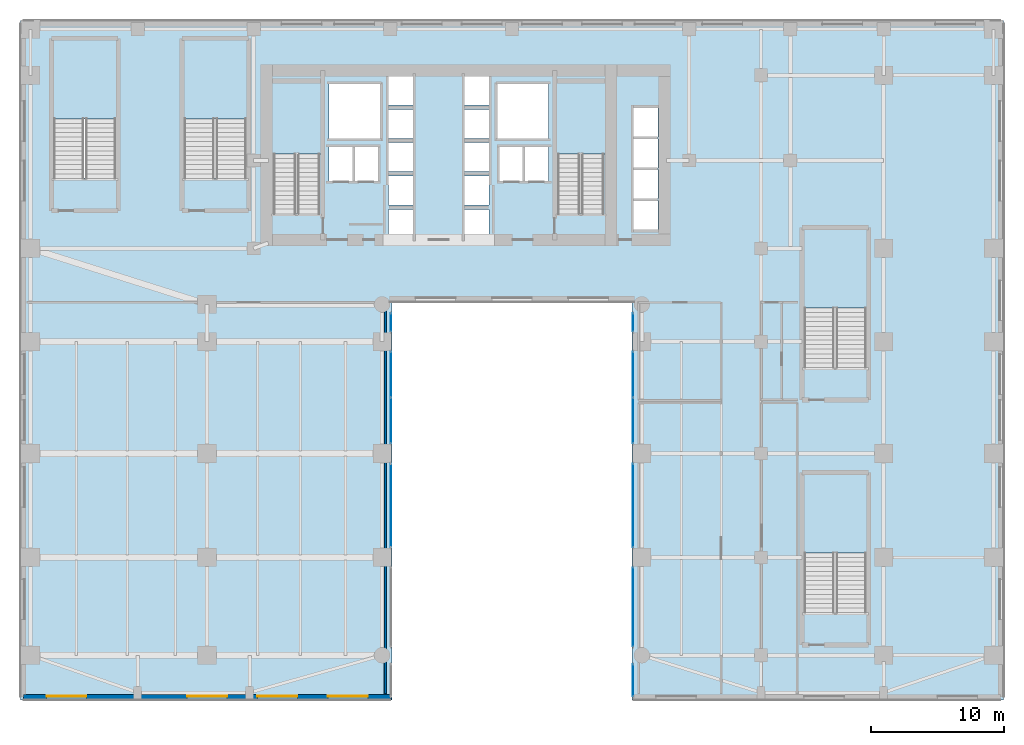
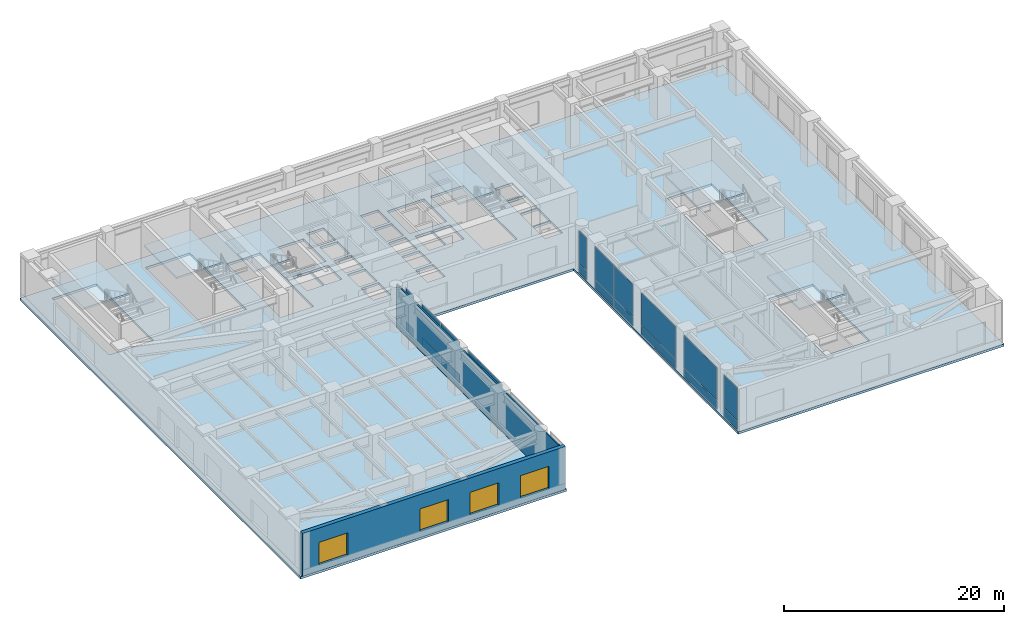
# One storey, part 12 of 24: 19 plates, 7 slabs, 4 windows, 2 walls, 4 openings, 14 elements without a shape of their own.
"""IFC4 building model written with IfcOpenShell, lengths in metres."""

from ifc_helpers import new_model, si_unit, direction, frame, frame_2d, origin, origin_2d, place, context, subcontext, project, spatial, polyline, rectangle, outline, extrude, source, transform, mapped, material, layer, layer_set, type_object, type_shapes, element, fill, aggregate, save


model = new_model("IFC4")

# Units and contexts
model_context = context("Model", 3, precision=1e-05, world=origin(), true_north=direction((0.0, 1.0)))
body_context = subcontext(model_context, "Body", "Model", "MODEL_VIEW")
ifc_project = project(units=[si_unit("LENGTHUNIT", "METRE"), si_unit("AREAUNIT", "SQUARE_METRE"), si_unit("VOLUMEUNIT", "CUBIC_METRE"), si_unit("PLANEANGLEUNIT", "RADIAN"), si_unit("MASSUNIT", "GRAM", prefix="KILO")], contexts=[model_context])

# Site, building, storey
site_placement = place(None, origin())
site = spatial("IfcSite", under=ifc_project, at=site_placement, CompositionType="ELEMENT")
building_placement = place(site_placement, origin())
building = spatial("IfcBuilding", under=site, at=building_placement, Name="Tolvann Quenvar Hotel", CompositionType="ELEMENT")
storey_placement = place(building_placement, frame((0.0, 0.0, 6.0)))
storey = spatial("IfcBuildingStorey", under=building, at=storey_placement, Name="L01", CompositionType="ELEMENT", Elevation=6.0)

# Stair, slab
ifc_material_1 = material(Name="Concrete N40 (40 MPa)", Category="concrete")
stair_type = type_object("IfcStairType", Name="STAIR", PredefinedType="HALF_TURN_STAIR", material=ifc_material_1)
stair_1_placement = place(storey_placement, origin())
stair_1 = element("IfcStair", 1, at=stair_1_placement, inside=storey, type_object=stair_type, Name="L01 ST-C1", PredefinedType="HALF_TURN_STAIR")
ifc_layer_1 = layer(ifc_material_1, 0.199951171875)
ifc_layer_set_1 = layer_set([ifc_layer_1], Name="Concrete N40 (40 MPa)")
slab_type_1 = type_object("IfcSlabType", Name="SLAB_LANDING", PredefinedType="LANDING", material=ifc_layer_set_1)
slab_1_placement = place(storey_placement, frame((0.0, 0.0, 2.300048828125)))
slab_1 = element("IfcSlab", 2, at=slab_1_placement, type_object=slab_type_1, Name="ST-C1 landing 1", PredefinedType="LANDING", context=body_context, shape_type="SweptSolid", body=[
    extrude(outline(polyline([(14.179931640625, 38.485107421875), (14.179931640625, 43.8798828125), (10.469970703125, 43.8798828125), (10.469970703125, 38.485107421875), (14.179931640625, 38.485107421875)])), origin(), (0.0, 0.0, 1.0), 0.199951171875),
])
aggregate(stair_1, [slab_1])

stair_2_placement = place(storey_placement, origin())
stair_2 = element("IfcStair", 3, at=stair_2_placement, inside=storey, type_object=stair_type, Name="L01 ST-C2", PredefinedType="HALF_TURN_STAIR")
slab_2_placement = place(storey_placement, frame((0.0, 0.0, 2.300048828125)))
slab_2 = element("IfcSlab", 4, at=slab_2_placement, type_object=slab_type_1, Name="ST-C2 landing 1", PredefinedType="LANDING", context=body_context, shape_type="SweptSolid", body=[
    extrude(outline(polyline([(35.530029296875, 38.485107421875), (35.530029296875, 43.8798828125), (31.820068359375, 43.8798828125), (31.820068359375, 38.485107421875), (35.530029296875, 38.485107421875)])), origin(), (0.0, 0.0, 1.0), 0.199951171875),
])
aggregate(stair_2, [slab_2])

stair_3_placement = place(storey_placement, origin())
stair_3 = element("IfcStair", 5, at=stair_3_placement, inside=storey, type_object=stair_type, Name="L01 ST-P1", PredefinedType="HALF_TURN_STAIR")
slab_3_placement = place(storey_placement, frame((0.0, 0.0, 2.300048828125)))
slab_3 = element("IfcSlab", 6, at=slab_3_placement, type_object=slab_type_1, Name="ST-P1 landing 1", PredefinedType="LANDING", context=body_context, shape_type="SweptSolid", body=[
    extrude(outline(polyline([(-1.1201171875, 41.135009765625), (-1.1201171875, 47.080078125), (-6.030029296875, 47.080078125), (-6.030029296875, 41.135009765625), (-1.1201171875, 41.135009765625)])), origin(), (0.0, 0.0, 1.0), 0.199951171875),
])
aggregate(stair_3, [slab_3])

stair_4_placement = place(storey_placement, origin())
stair_4 = element("IfcStair", 7, at=stair_4_placement, inside=storey, type_object=stair_type, Name="L01 ST-P2", PredefinedType="HALF_TURN_STAIR")
slab_4_placement = place(storey_placement, frame((0.0, 0.0, 2.300048828125)))
slab_4 = element("IfcSlab", 8, at=slab_4_placement, type_object=slab_type_1, Name="ST-P2 landing 1", PredefinedType="LANDING", context=body_context, shape_type="SweptSolid", body=[
    extrude(outline(polyline([(8.679931640625, 41.135009765625), (8.679931640625, 47.080078125), (3.77001953125, 47.080078125), (3.77001953125, 41.135009765625), (8.679931640625, 41.135009765625)])), origin(), (0.0, 0.0, 1.0), 0.199951171875),
])
aggregate(stair_4, [slab_4])

stair_5_placement = place(storey_placement, origin())
stair_5 = element("IfcStair", 9, at=stair_5_placement, inside=storey, type_object=stair_type, Name="L01 ST-P3", PredefinedType="HALF_TURN_STAIR")
slab_5_placement = place(storey_placement, frame((0.0, 0.0, 2.300048828125)))
slab_5 = element("IfcSlab", 10, at=slab_5_placement, type_object=slab_type_1, Name="ST-P3 landing 1", PredefinedType="LANDING", context=body_context, shape_type="SweptSolid", body=[
    extrude(outline(polyline([(55.22998046875, 8.534912109375), (55.22998046875, 14.47998046875), (50.320068359375, 14.47998046875), (50.320068359375, 8.534912109375), (55.22998046875, 8.534912109375)])), origin(), (0.0, 0.0, 1.0), 0.199951171875),
])
aggregate(stair_5, [slab_5])

stair_6_placement = place(storey_placement, origin())
stair_6 = element("IfcStair", 11, at=stair_6_placement, inside=storey, type_object=stair_type, Name="L01 ST-P4", PredefinedType="HALF_TURN_STAIR")
slab_6_placement = place(storey_placement, frame((0.0, 0.0, 2.300048828125)))
slab_6 = element("IfcSlab", 12, at=slab_6_placement, type_object=slab_type_1, Name="ST-P4 landing 1", PredefinedType="LANDING", context=body_context, shape_type="SweptSolid", body=[
    extrude(outline(polyline([(55.22998046875, 26.93505859375), (55.22998046875, 32.8798828125), (50.320068359375, 32.8798828125), (50.320068359375, 26.93505859375), (55.22998046875, 26.93505859375)])), origin(), (0.0, 0.0, 1.0), 0.199951171875),
])
aggregate(stair_6, [slab_6])

# Slab
ifc_material_2 = material(Name="Concrete N50 (50 MPa)", Category="concrete")
ifc_layer_2 = layer(ifc_material_2, 0.260009765625)
ifc_layer_set_2 = layer_set([ifc_layer_2], Name="Concrete N50 (50 MPa)")
slab_type_2 = type_object("IfcSlabType", Name="SLAB_POD_250", PredefinedType="FLOOR", material=ifc_layer_set_2)
slab_7_placement = place(storey_placement, frame((0.0, 0.0, -0.260009765625)))
element("IfcSlab", 13, at=slab_7_placement, inside=storey, type_object=slab_type_2, Name="Level L01 Structural Floor Slab", PredefinedType="FLOOR", context=body_context, shape_type="SweptSolid", body=[
    extrude(outline(polyline([(-8.39990234375, -2.5), (19.5, -2.5), (19.5, 27.39990234375), (37.5, 27.39990234375), (37.5, -2.5), (65.39990234375, -2.5), (65.39990234375, 48.5), (-8.39990234375, 48.5), (-8.39990234375, -2.5)]), holes=[polyline([(50.449951171875, 4.074951171875), (50.449951171875, 14.39990234375), (55.10009765625, 14.39990234375), (55.10009765625, 4.074951171875), (50.449951171875, 4.074951171875)]), polyline([(50.449951171875, 32.800048828125), (55.10009765625, 32.800048828125), (55.10009765625, 22.47509765625), (50.449951171875, 22.47509765625), (50.449951171875, 32.800048828125)]), polyline([(39.469970703125, 41.949951171875), (39.469970703125, 39.77001953125), (37.6298828125, 39.77001953125), (37.6298828125, 41.949951171875), (39.469970703125, 41.949951171875)]), polyline([(39.469970703125, 39.6298828125), (39.469970703125, 37.449951171875), (37.6298828125, 37.449951171875), (37.6298828125, 39.6298828125), (39.469970703125, 39.6298828125)]), polyline([(37.6298828125, 37.31005859375), (39.469970703125, 37.31005859375), (39.469970703125, 35.1298828125), (37.6298828125, 35.1298828125), (37.6298828125, 37.31005859375)]), polyline([(39.469970703125, 34.989990234375), (39.469970703125, 32.81005859375), (37.6298828125, 32.81005859375), (37.6298828125, 34.989990234375), (39.469970703125, 34.989990234375)]), polyline([(31.949951171875, 43.800048828125), (35.39990234375, 43.800048828125), (35.39990234375, 34.02490234375), (31.949951171875, 34.02490234375), (31.949951171875, 43.800048828125)]), polyline([(31.25, 39.02001953125), (31.25, 36.47998046875), (29.449951171875, 36.47998046875), (29.449951171875, 39.02001953125), (31.25, 39.02001953125)]), polyline([(31.25, 43.75), (31.25, 39.64990234375), (27.39990234375, 39.64990234375), (27.39990234375, 43.75), (31.25, 43.75)]), polyline([(29.324951171875, 39.02001953125), (29.324951171875, 36.47998046875), (27.574951171875, 36.47998046875), (27.574951171875, 39.02001953125), (29.324951171875, 39.02001953125)]), polyline([(24.929931640625, 36.840087890625), (26.77001953125, 36.840087890625), (26.77001953125, 34.659912109375), (24.929931640625, 34.659912109375), (24.929931640625, 36.840087890625)]), polyline([(26.77001953125, 44.340087890625), (26.77001953125, 42.159912109375), (24.929931640625, 42.159912109375), (24.929931640625, 44.340087890625), (26.77001953125, 44.340087890625)]), polyline([(26.77001953125, 41.840087890625), (26.77001953125, 39.659912109375), (24.929931640625, 39.659912109375), (24.929931640625, 41.840087890625), (26.77001953125, 41.840087890625)]), polyline([(24.929931640625, 39.340087890625), (26.77001953125, 39.340087890625), (26.77001953125, 37.159912109375), (24.929931640625, 37.159912109375), (24.929931640625, 39.340087890625)]), polyline([(26.77001953125, 34.340087890625), (26.77001953125, 32.159912109375), (24.929931640625, 32.159912109375), (24.929931640625, 34.340087890625), (26.77001953125, 34.340087890625)]), polyline([(21.070068359375, 44.340087890625), (21.070068359375, 42.159912109375), (19.22998046875, 42.159912109375), (19.22998046875, 44.340087890625), (21.070068359375, 44.340087890625)]), polyline([(21.070068359375, 41.840087890625), (21.070068359375, 39.659912109375), (19.22998046875, 39.659912109375), (19.22998046875, 41.840087890625), (21.070068359375, 41.840087890625)]), polyline([(19.22998046875, 39.340087890625), (21.070068359375, 39.340087890625), (21.070068359375, 37.159912109375), (19.22998046875, 37.159912109375), (19.22998046875, 39.340087890625)]), polyline([(21.070068359375, 36.840087890625), (21.070068359375, 34.659912109375), (19.22998046875, 34.659912109375), (19.22998046875, 36.840087890625), (21.070068359375, 36.840087890625)]), polyline([(19.22998046875, 34.340087890625), (21.070068359375, 34.340087890625), (21.070068359375, 32.159912109375), (19.22998046875, 32.159912109375), (19.22998046875, 34.340087890625)]), polyline([(18.60009765625, 43.75), (18.60009765625, 39.64990234375), (14.75, 39.64990234375), (14.75, 43.75), (18.60009765625, 43.75)]), polyline([(18.425048828125, 39.02001953125), (18.425048828125, 36.47998046875), (16.675048828125, 36.47998046875), (16.675048828125, 39.02001953125), (18.425048828125, 39.02001953125)]), polyline([(16.550048828125, 39.02001953125), (16.550048828125, 36.47998046875), (14.75, 36.47998046875), (14.75, 39.02001953125), (16.550048828125, 39.02001953125)]), polyline([(10.60009765625, 43.800048828125), (14.050048828125, 43.800048828125), (14.050048828125, 34.02490234375), (10.60009765625, 34.02490234375), (10.60009765625, 43.800048828125)]), polyline([(3.89990234375, 47.0), (8.550048828125, 47.0), (8.550048828125, 36.675048828125), (3.89990234375, 36.675048828125), (3.89990234375, 47.0)]), polyline([(-5.89990234375, 47.0), (-1.25, 47.0), (-1.25, 36.675048828125), (-5.89990234375, 36.675048828125), (-5.89990234375, 47.0)])]), origin(), (0.0, 0.0, 1.0), 0.260009765625),
])

# Curtain wall, plate
ifc_material_3 = material(Name="Thermally broken anodised architectural aluminium 6063-T6 and laminated low-E glass", Category="aluminium")
ifc_layer_3 = layer(ifc_material_3, 0.179931640625)
ifc_layer_set_3 = layer_set([ifc_layer_3], Name="Thermally broken anodised architectural aluminium 6063-T6 and laminated low-E glass")
curtain_wall_type = type_object("IfcCurtainWallType", Name="CW_SYS_ARCH_01", PredefinedType="USERDEFINED", material=ifc_layer_set_3)
curtain_wall_1_placement = place(storey_placement, origin())
curtain_wall_1 = element("IfcCurtainWall", 14, at=curtain_wall_1_placement, inside=storey, type_object=curtain_wall_type, Name="Curtain Wall CW-ARCH-01 (CWR-L01-E03-S5)", ObjectType="UNITISED CURTAIN WALL", PredefinedType="USERDEFINED")
ifc_material_4 = material(Name="Low-iron laminated double glazing with solar-control coating", Category="glass")
ifc_layer_4 = layer(ifc_material_4, 0.028076171875)
ifc_layer_set_4 = layer_set([ifc_layer_4], Name="Low-iron laminated double glazing with solar-control coating")
plate_type = type_object("IfcPlateType", Name="CW_PAN_VISION_28", PredefinedType="CURTAIN_PANEL", material=ifc_layer_set_4)
shared_shape_1 = source(origin(), body_context, "Body", "SweptSolid", [
    extrude(rectangle(XDim=2.39599609375, YDim=0.028076171875, at=origin_2d()), origin(), (0.0, 0.0, 1.0), 0.9599609375),
])
plate_1_placement = place(storey_placement, frame((37.590087890625, -1.02197265625, 0.06005859375), z_axis=(0.0, 0.0, 1.0), x_axis=(0.0, -1.0, 0.0)))
plate_1 = element("IfcPlate", 15, at=plate_1_placement, type_object=plate_type, Name="CW-ARCH-01 panel 1.1", PredefinedType="CURTAIN_PANEL", context=body_context, shape_type="MappedRepresentation", body=[
    mapped(shared_shape_1, transform((0.0, 0.0, 0.0), x_axis=(1.0, 0.0, 0.0), y_axis=(0.0, 1.0, 0.0), z_axis=(0.0, 0.0, 1.0), scale=1.0)),
])

curtain_wall_2_placement = place(storey_placement, origin())
curtain_wall_2 = element("IfcCurtainWall", 16, at=curtain_wall_2_placement, inside=storey, type_object=curtain_wall_type, Name="Curtain Wall CW-ARCH-01 (CWR-L01-E03-S4)", ObjectType="UNITISED CURTAIN WALL", PredefinedType="USERDEFINED")
shared_shape_2 = source(origin(), body_context, "Body", "SweptSolid", [
    extrude(rectangle(XDim=5.902099609375, YDim=0.028076171875, at=origin_2d()), origin(), (0.0, 0.0, 1.0), 0.9599609375),
])
plate_2_placement = place(storey_placement, frame((37.590087890625, 4.47509765625, 0.06005859375), z_axis=(0.0, 0.0, 1.0), x_axis=(0.0, -1.0, 0.0)))
plate_2 = element("IfcPlate", 17, at=plate_2_placement, type_object=plate_type, Name="CW-ARCH-01 panel 1.1", PredefinedType="CURTAIN_PANEL", context=body_context, shape_type="MappedRepresentation", body=[
    mapped(shared_shape_2, transform((0.0, 0.0, 0.0), x_axis=(1.0, 0.0, 0.0), y_axis=(0.0, 1.0, 0.0), z_axis=(0.0, 0.0, 1.0), scale=1.0)),
])

curtain_wall_3_placement = place(storey_placement, origin())
curtain_wall_3 = element("IfcCurtainWall", 18, at=curtain_wall_3_placement, inside=storey, type_object=curtain_wall_type, Name="Curtain Wall CW-ARCH-01 (CWR-L01-E03-S3)", ObjectType="UNITISED CURTAIN WALL", PredefinedType="USERDEFINED")
shared_shape_3 = source(origin(), body_context, "Body", "SweptSolid", [
    extrude(rectangle(XDim=6.251953125, YDim=0.028076171875, at=origin_2d()), origin(), (0.0, 0.0, 1.0), 0.9599609375),
])
plate_3_placement = place(storey_placement, frame((37.590087890625, 12.10009765625, 0.06005859375), z_axis=(0.0, 0.0, 1.0), x_axis=(0.0, -1.0, 0.0)))
plate_3 = element("IfcPlate", 19, at=plate_3_placement, type_object=plate_type, Name="CW-ARCH-01 panel 1.1", PredefinedType="CURTAIN_PANEL", context=body_context, shape_type="MappedRepresentation", body=[
    mapped(shared_shape_3, transform((0.0, 0.0, 0.0), x_axis=(1.0, 0.0, 0.0), y_axis=(0.0, 1.0, 0.0), z_axis=(0.0, 0.0, 1.0), scale=1.0)),
])

# Curtain wall, plates
curtain_wall_4_placement = place(storey_placement, origin())
curtain_wall_4 = element("IfcCurtainWall", 20, at=curtain_wall_4_placement, inside=storey, type_object=curtain_wall_type, Name="Curtain Wall CW-ARCH-01 (CWR-L01-E01-S4)", ObjectType="UNITISED CURTAIN WALL", PredefinedType="USERDEFINED")
shared_shape_4 = source(origin(), body_context, "Body", "SweptSolid", [
    extrude(rectangle(XDim=3.39111328125, YDim=0.028076171875, at=origin_2d()), origin(), (0.0, 0.0, 1.0), 0.9599609375),
])
plate_4_placement = place(storey_placement, frame((19.409912109375, 18.469482421875, 0.06005859375), z_axis=(0.0, 0.0, 1.0), x_axis=(0.0, 1.0, 0.0)))
plate_4 = element("IfcPlate", 21, at=plate_4_placement, type_object=plate_type, Name="CW-ARCH-01 panel 1.1", PredefinedType="CURTAIN_PANEL", context=body_context, shape_type="MappedRepresentation", body=[
    mapped(shared_shape_4, transform((0.0, 0.0, 0.0), x_axis=(1.0, 0.0, 0.0), y_axis=(0.0, 1.0, 0.0), z_axis=(0.0, 0.0, 1.0), scale=1.0)),
])
plate_5_placement = place(storey_placement, frame((19.409912109375, 21.930419921875, 0.06005859375), z_axis=(0.0, 0.0, 1.0), x_axis=(0.0, 1.0, 0.0)))
plate_5 = element("IfcPlate", 22, at=plate_5_placement, type_object=plate_type, Name="CW-ARCH-01 panel 2.1", PredefinedType="CURTAIN_PANEL", context=body_context, shape_type="MappedRepresentation", body=[
    mapped(shared_shape_4, transform((0.0, 0.0, 0.0), x_axis=(1.0, 0.0, 0.0), y_axis=(0.0, 1.0, 0.0), z_axis=(0.0, 0.0, 1.0), scale=1.0)),
])

curtain_wall_5_placement = place(storey_placement, origin())
curtain_wall_5 = element("IfcCurtainWall", 23, at=curtain_wall_5_placement, inside=storey, type_object=curtain_wall_type, Name="Curtain Wall CW-ARCH-01 (CWR-L01-E03-S2)", ObjectType="UNITISED CURTAIN WALL", PredefinedType="USERDEFINED")
plate_6_placement = place(storey_placement, frame((37.590087890625, 21.930419921875, 0.06005859375), z_axis=(0.0, 0.0, 1.0), x_axis=(0.0, -1.0, 0.0)))
plate_6 = element("IfcPlate", 24, at=plate_6_placement, type_object=plate_type, Name="CW-ARCH-01 panel 1.1", PredefinedType="CURTAIN_PANEL", context=body_context, shape_type="MappedRepresentation", body=[
    mapped(shared_shape_4, transform((0.0, 0.0, 0.0), x_axis=(1.0, 0.0, 0.0), y_axis=(0.0, 1.0, 0.0), z_axis=(0.0, 0.0, 1.0), scale=1.0)),
])
plate_7_placement = place(storey_placement, frame((37.590087890625, 18.469482421875, 0.06005859375), z_axis=(0.0, 0.0, 1.0), x_axis=(0.0, -1.0, 0.0)))
plate_7 = element("IfcPlate", 25, at=plate_7_placement, type_object=plate_type, Name="CW-ARCH-01 panel 2.1", PredefinedType="CURTAIN_PANEL", context=body_context, shape_type="MappedRepresentation", body=[
    mapped(shared_shape_4, transform((0.0, 0.0, 0.0), x_axis=(1.0, 0.0, 0.0), y_axis=(0.0, 1.0, 0.0), z_axis=(0.0, 0.0, 1.0), scale=1.0)),
])

# Curtain wall, plate
curtain_wall_6_placement = place(storey_placement, origin())
curtain_wall_6 = element("IfcCurtainWall", 26, at=curtain_wall_6_placement, inside=storey, type_object=curtain_wall_type, Name="Curtain Wall CW-ARCH-01 (CWR-L01-E01-S5)", ObjectType="UNITISED CURTAIN WALL", PredefinedType="USERDEFINED")
shared_shape_5 = source(origin(), body_context, "Body", "SweptSolid", [
    extrude(rectangle(XDim=1.35205078125, YDim=0.028076171875, at=origin_2d()), origin(), (0.0, 0.0, 1.0), 0.9599609375),
])
plate_8_placement = place(storey_placement, frame((19.409912109375, 25.85009765625, 0.06005859375), z_axis=(0.0, 0.0, 1.0), x_axis=(0.0, 1.0, 0.0)))
plate_8 = element("IfcPlate", 27, at=plate_8_placement, type_object=plate_type, Name="CW-ARCH-01 panel 1.1", PredefinedType="CURTAIN_PANEL", context=body_context, shape_type="MappedRepresentation", body=[
    mapped(shared_shape_5, transform((0.0, 0.0, 0.0), x_axis=(1.0, 0.0, 0.0), y_axis=(0.0, 1.0, 0.0), z_axis=(0.0, 0.0, 1.0), scale=1.0)),
])

curtain_wall_7_placement = place(storey_placement, origin())
curtain_wall_7 = element("IfcCurtainWall", 28, at=curtain_wall_7_placement, inside=storey, type_object=curtain_wall_type, Name="Curtain Wall CW-ARCH-01 (CWR-L01-E03-S1)", ObjectType="UNITISED CURTAIN WALL", PredefinedType="USERDEFINED")
plate_9_placement = place(storey_placement, frame((37.590087890625, 25.85009765625, 0.06005859375), z_axis=(0.0, 0.0, 1.0), x_axis=(0.0, -1.0, 0.0)))
plate_9 = element("IfcPlate", 29, at=plate_9_placement, type_object=plate_type, Name="CW-ARCH-01 panel 1.1", PredefinedType="CURTAIN_PANEL", context=body_context, shape_type="MappedRepresentation", body=[
    mapped(shared_shape_5, transform((0.0, 0.0, 0.0), x_axis=(1.0, 0.0, 0.0), y_axis=(0.0, 1.0, 0.0), z_axis=(0.0, 0.0, 1.0), scale=1.0)),
])

# Plate
shared_shape_6 = source(origin(), body_context, "Body", "SweptSolid", [
    extrude(rectangle(XDim=2.39599609375, YDim=0.028076171875, at=origin_2d()), origin(), (0.0, 0.0, 1.0), 3.60009765625),
])
plate_10_placement = place(storey_placement, frame((37.590087890625, -1.02197265625, 1.079833984375), z_axis=(0.0, 0.0, 1.0), x_axis=(0.0, -1.0, 0.0)))
plate_10 = element("IfcPlate", 30, at=plate_10_placement, type_object=plate_type, Name="CW-ARCH-01 panel 1.2", PredefinedType="CURTAIN_PANEL", context=body_context, shape_type="MappedRepresentation", body=[
    mapped(shared_shape_6, transform((0.0, 0.0, 0.0), x_axis=(1.0, 0.0, 0.0), y_axis=(0.0, 1.0, 0.0), z_axis=(0.0, 0.0, 1.0), scale=1.0)),
])

aggregate(curtain_wall_1, [plate_1, plate_10])

shared_shape_7 = source(origin(), body_context, "Body", "SweptSolid", [
    extrude(rectangle(XDim=5.902099609375, YDim=0.028076171875, at=origin_2d()), origin(), (0.0, 0.0, 1.0), 3.60009765625),
])
plate_11_placement = place(storey_placement, frame((37.590087890625, 4.47509765625, 1.079833984375), z_axis=(0.0, 0.0, 1.0), x_axis=(0.0, -1.0, 0.0)))
plate_11 = element("IfcPlate", 31, at=plate_11_placement, type_object=plate_type, Name="CW-ARCH-01 panel 1.2", PredefinedType="CURTAIN_PANEL", context=body_context, shape_type="MappedRepresentation", body=[
    mapped(shared_shape_7, transform((0.0, 0.0, 0.0), x_axis=(1.0, 0.0, 0.0), y_axis=(0.0, 1.0, 0.0), z_axis=(0.0, 0.0, 1.0), scale=1.0)),
])

aggregate(curtain_wall_2, [plate_2, plate_11])

# Curtain wall, plate
curtain_wall_8_placement = place(storey_placement, origin())
curtain_wall_8 = element("IfcCurtainWall", 32, at=curtain_wall_8_placement, inside=storey, type_object=curtain_wall_type, Name="Curtain Wall CW-ARCH-01 (CWR-L01-E01-S3)", ObjectType="UNITISED CURTAIN WALL", PredefinedType="USERDEFINED")
shared_shape_8 = source(origin(), body_context, "Body", "SweptSolid", [
    extrude(rectangle(XDim=6.251953125, YDim=0.028076171875, at=origin_2d()), origin(), (0.0, 0.0, 1.0), 3.60009765625),
])
plate_12_placement = place(storey_placement, frame((19.409912109375, 12.10009765625, 1.079833984375), z_axis=(0.0, 0.0, 1.0), x_axis=(0.0, 1.0, 0.0)))
plate_12 = element("IfcPlate", 33, at=plate_12_placement, type_object=plate_type, Name="CW-ARCH-01 panel 1.2", PredefinedType="CURTAIN_PANEL", context=body_context, shape_type="MappedRepresentation", body=[
    mapped(shared_shape_8, transform((0.0, 0.0, 0.0), x_axis=(1.0, 0.0, 0.0), y_axis=(0.0, 1.0, 0.0), z_axis=(0.0, 0.0, 1.0), scale=1.0)),
])
aggregate(curtain_wall_8, [plate_12])

# Plate
plate_13_placement = place(storey_placement, frame((37.590087890625, 12.10009765625, 1.079833984375), z_axis=(0.0, 0.0, 1.0), x_axis=(0.0, -1.0, 0.0)))
plate_13 = element("IfcPlate", 34, at=plate_13_placement, type_object=plate_type, Name="CW-ARCH-01 panel 1.2", PredefinedType="CURTAIN_PANEL", context=body_context, shape_type="MappedRepresentation", body=[
    mapped(shared_shape_8, transform((0.0, 0.0, 0.0), x_axis=(1.0, 0.0, 0.0), y_axis=(0.0, 1.0, 0.0), z_axis=(0.0, 0.0, 1.0), scale=1.0)),
])

aggregate(curtain_wall_3, [plate_3, plate_13])

shared_shape_9 = source(origin(), body_context, "Body", "SweptSolid", [
    extrude(rectangle(XDim=3.39111328125, YDim=0.028076171875, at=origin_2d()), origin(), (0.0, 0.0, 1.0), 3.60009765625),
])
plate_14_placement = place(storey_placement, frame((19.409912109375, 18.469482421875, 1.079833984375), z_axis=(0.0, 0.0, 1.0), x_axis=(0.0, 1.0, 0.0)))
plate_14 = element("IfcPlate", 35, at=plate_14_placement, type_object=plate_type, Name="CW-ARCH-01 panel 1.2", PredefinedType="CURTAIN_PANEL", context=body_context, shape_type="MappedRepresentation", body=[
    mapped(shared_shape_9, transform((0.0, 0.0, 0.0), x_axis=(1.0, 0.0, 0.0), y_axis=(0.0, 1.0, 0.0), z_axis=(0.0, 0.0, 1.0), scale=1.0)),
])

plate_15_placement = place(storey_placement, frame((19.409912109375, 21.930419921875, 1.079833984375), z_axis=(0.0, 0.0, 1.0), x_axis=(0.0, 1.0, 0.0)))
plate_15 = element("IfcPlate", 36, at=plate_15_placement, type_object=plate_type, Name="CW-ARCH-01 panel 2.2", PredefinedType="CURTAIN_PANEL", context=body_context, shape_type="MappedRepresentation", body=[
    mapped(shared_shape_9, transform((0.0, 0.0, 0.0), x_axis=(1.0, 0.0, 0.0), y_axis=(0.0, 1.0, 0.0), z_axis=(0.0, 0.0, 1.0), scale=1.0)),
])

aggregate(curtain_wall_4, [plate_4, plate_14, plate_5, plate_15])

plate_16_placement = place(storey_placement, frame((37.590087890625, 21.930419921875, 1.079833984375), z_axis=(0.0, 0.0, 1.0), x_axis=(0.0, -1.0, 0.0)))
plate_16 = element("IfcPlate", 37, at=plate_16_placement, type_object=plate_type, Name="CW-ARCH-01 panel 1.2", PredefinedType="CURTAIN_PANEL", context=body_context, shape_type="MappedRepresentation", body=[
    mapped(shared_shape_9, transform((0.0, 0.0, 0.0), x_axis=(1.0, 0.0, 0.0), y_axis=(0.0, 1.0, 0.0), z_axis=(0.0, 0.0, 1.0), scale=1.0)),
])

plate_17_placement = place(storey_placement, frame((37.590087890625, 18.469482421875, 1.079833984375), z_axis=(0.0, 0.0, 1.0), x_axis=(0.0, -1.0, 0.0)))
plate_17 = element("IfcPlate", 38, at=plate_17_placement, type_object=plate_type, Name="CW-ARCH-01 panel 2.2", PredefinedType="CURTAIN_PANEL", context=body_context, shape_type="MappedRepresentation", body=[
    mapped(shared_shape_9, transform((0.0, 0.0, 0.0), x_axis=(1.0, 0.0, 0.0), y_axis=(0.0, 1.0, 0.0), z_axis=(0.0, 0.0, 1.0), scale=1.0)),
])

aggregate(curtain_wall_5, [plate_6, plate_16, plate_7, plate_17])

shared_shape_10 = source(origin(), body_context, "Body", "SweptSolid", [
    extrude(rectangle(XDim=1.35205078125, YDim=0.028076171875, at=origin_2d()), origin(), (0.0, 0.0, 1.0), 3.60009765625),
])
type_shapes(plate_type, [shared_shape_1, shared_shape_2, shared_shape_3, shared_shape_4, shared_shape_5, shared_shape_6, shared_shape_7, shared_shape_8, shared_shape_9, shared_shape_10])
plate_18_placement = place(storey_placement, frame((19.409912109375, 25.85009765625, 1.079833984375), z_axis=(0.0, 0.0, 1.0), x_axis=(0.0, 1.0, 0.0)))
plate_18 = element("IfcPlate", 39, at=plate_18_placement, type_object=plate_type, Name="CW-ARCH-01 panel 1.2", PredefinedType="CURTAIN_PANEL", context=body_context, shape_type="MappedRepresentation", body=[
    mapped(shared_shape_10, transform((0.0, 0.0, 0.0), x_axis=(1.0, 0.0, 0.0), y_axis=(0.0, 1.0, 0.0), z_axis=(0.0, 0.0, 1.0), scale=1.0)),
])

aggregate(curtain_wall_6, [plate_8, plate_18])

plate_19_placement = place(storey_placement, frame((37.590087890625, 25.85009765625, 1.079833984375), z_axis=(0.0, 0.0, 1.0), x_axis=(0.0, -1.0, 0.0)))
plate_19 = element("IfcPlate", 40, at=plate_19_placement, type_object=plate_type, Name="CW-ARCH-01 panel 1.2", PredefinedType="CURTAIN_PANEL", context=body_context, shape_type="MappedRepresentation", body=[
    mapped(shared_shape_10, transform((0.0, 0.0, 0.0), x_axis=(1.0, 0.0, 0.0), y_axis=(0.0, 1.0, 0.0), z_axis=(0.0, 0.0, 1.0), scale=1.0)),
])

aggregate(curtain_wall_7, [plate_9, plate_19])

# Wall, openings, windows
ifc_material_5 = material(Name="Kiln-fired red and buff architectural clay brickwork and terracotta masonry", Category="masonry")
ifc_layer_5 = layer(ifc_material_5, 0.419921875)
ifc_layer_set_5 = layer_set([ifc_layer_5], Name="Kiln-fired red and buff architectural clay brickwork and terracotta masonry")
wall_type_1 = type_object("IfcWallType", Name="WALL_EXT_POD_420", PredefinedType="SOLIDWALL", material=ifc_layer_set_5)
wall_1_placement = place(storey_placement, frame((-8.18994140625, -2.2900390625, 0.0), z_axis=(0.0, 0.0, 1.0), x_axis=(1.0, 0.0, 0.0)))
wall_1 = element("IfcWall", 41, at=wall_1_placement, inside=storey, type_object=wall_type_1, Name="Exterior Chicago Brick Wall L01-E08", PredefinedType="SOLIDWALL", context=body_context, shape_type="SweptSolid", body=[
    extrude(rectangle(XDim=27.599853515625, YDim=0.419921875, at=frame_2d((13.7998046875, 0.0))), origin(), (0.0, 0.0, 1.0), 4.739990234375),
])
opening_1_placement = place(wall_1_placement, frame((1.739990234375, 0.0, 0.64990234375)))
opening_1 = element("IfcOpeningElement", 42, at=opening_1_placement, cuts=wall_1, Name="Opening W-05", PredefinedType="OPENING", context=body_context, shape_type="SweptSolid", body=[
    extrude(rectangle(XDim=3.0, YDim=2.5, at=frame_2d((1.5, 1.25))), frame((0.0, 0.219970703125, 0.0), z_axis=(0.0, -1.0, 0.0), x_axis=(1.0, 0.0, 0.0)), (0.0, 0.0, 1.0), 0.43994140625),
])
opening_2_placement = place(wall_1_placement, frame((12.300048828125, 0.0, 0.64990234375)))
opening_2 = element("IfcOpeningElement", 43, at=opening_2_placement, cuts=wall_1, Name="Opening W-05", PredefinedType="OPENING", context=body_context, shape_type="SweptSolid", body=[
    extrude(rectangle(XDim=3.0, YDim=2.5, at=frame_2d((1.5, 1.25))), frame((0.0, 0.219970703125, 0.0), z_axis=(0.0, -1.0, 0.0), x_axis=(1.0, 0.0, 0.0)), (0.0, 0.0, 1.0), 0.43994140625),
])
opening_3_placement = place(wall_1_placement, frame((17.580078125, 0.0, 0.64990234375)))
opening_3 = element("IfcOpeningElement", 44, at=opening_3_placement, cuts=wall_1, Name="Opening W-05", PredefinedType="OPENING", context=body_context, shape_type="SweptSolid", body=[
    extrude(rectangle(XDim=3.0, YDim=2.5, at=frame_2d((1.5, 1.25))), frame((0.0, 0.219970703125, 0.0), z_axis=(0.0, -1.0, 0.0), x_axis=(1.0, 0.0, 0.0)), (0.0, 0.0, 1.0), 0.43994140625),
])
opening_4_placement = place(wall_1_placement, frame((22.860107421875, 0.0, 0.64990234375)))
opening_4 = element("IfcOpeningElement", 45, at=opening_4_placement, cuts=wall_1, Name="Opening W-05", PredefinedType="OPENING", context=body_context, shape_type="SweptSolid", body=[
    extrude(rectangle(XDim=3.0, YDim=2.5, at=frame_2d((1.5, 1.25))), frame((0.0, 0.219970703125, 0.0), z_axis=(0.0, -1.0, 0.0), x_axis=(1.0, 0.0, 0.0)), (0.0, 0.0, 1.0), 0.43994140625),
])
ifc_material_6 = material(Name="Thermally broken bronze-anodised aluminium frame with double low-E glazing", Category="aluminium")
window_type = type_object("IfcWindowType", Name="WIN_POD_3000x2600", PartitioningType="TRIPLE_PANEL_HORIZONTAL", PredefinedType="WINDOW", material=ifc_material_6)
shared_shape_11 = source(origin(), body_context, "Body", "SweptSolid", [
    extrude(rectangle(XDim=3.0, YDim=2.5, at=frame_2d((1.5, 1.25))), frame((0.0, 0.090087890625, 0.0), z_axis=(0.0, -1.0, 0.0), x_axis=(1.0, 0.0, 0.0)), (0.0, 0.0, 1.0), 0.06005859375),
])
type_shapes(window_type, [shared_shape_11])
window_1_placement = place(opening_1_placement, origin())
window_1 = element("IfcWindow", 46, at=window_1_placement, inside=storey, type_object=window_type, Name="Chicago Window W-05 (EW-L01-E08-W01)", OverallHeight=2.5, OverallWidth=3.0, PartitioningType="TRIPLE_PANEL_HORIZONTAL", PredefinedType="WINDOW", context=body_context, shape_type="MappedRepresentation", body=[
    mapped(shared_shape_11, transform((0.0, 0.0, 0.0), x_axis=(1.0, 0.0, 0.0), y_axis=(0.0, 1.0, 0.0), z_axis=(0.0, 0.0, 1.0), scale=1.0)),
])
fill(opening_1, window_1)
window_2_placement = place(opening_2_placement, origin())
window_2 = element("IfcWindow", 47, at=window_2_placement, inside=storey, type_object=window_type, Name="Chicago Window W-05 (EW-L01-E08-W02)", OverallHeight=2.5, OverallWidth=3.0, PartitioningType="TRIPLE_PANEL_HORIZONTAL", PredefinedType="WINDOW", context=body_context, shape_type="MappedRepresentation", body=[
    mapped(shared_shape_11, transform((0.0, 0.0, 0.0), x_axis=(1.0, 0.0, 0.0), y_axis=(0.0, 1.0, 0.0), z_axis=(0.0, 0.0, 1.0), scale=1.0)),
])
fill(opening_2, window_2)
window_3_placement = place(opening_3_placement, origin())
window_3 = element("IfcWindow", 48, at=window_3_placement, inside=storey, type_object=window_type, Name="Chicago Window W-05 (EW-L01-E08-W03)", OverallHeight=2.5, OverallWidth=3.0, PartitioningType="TRIPLE_PANEL_HORIZONTAL", PredefinedType="WINDOW", context=body_context, shape_type="MappedRepresentation", body=[
    mapped(shared_shape_11, transform((0.0, 0.0, 0.0), x_axis=(1.0, 0.0, 0.0), y_axis=(0.0, 1.0, 0.0), z_axis=(0.0, 0.0, 1.0), scale=1.0)),
])
fill(opening_3, window_3)
window_4_placement = place(opening_4_placement, origin())
window_4 = element("IfcWindow", 49, at=window_4_placement, inside=storey, type_object=window_type, Name="Chicago Window W-05 (EW-L01-E08-W04)", OverallHeight=2.5, OverallWidth=3.0, PartitioningType="TRIPLE_PANEL_HORIZONTAL", PredefinedType="WINDOW", context=body_context, shape_type="MappedRepresentation", body=[
    mapped(shared_shape_11, transform((0.0, 0.0, 0.0), x_axis=(1.0, 0.0, 0.0), y_axis=(0.0, 1.0, 0.0), z_axis=(0.0, 0.0, 1.0), scale=1.0)),
])
fill(opening_4, window_4)

# Wall
ifc_material_7 = material(Name="Acoustic twin-stud fire-rated gypsum plasterboard partition")
ifc_layer_6 = layer(ifc_material_7, 0.14990234375)
ifc_layer_set_6 = layer_set([ifc_layer_6], Name="Acoustic twin-stud fire-rated gypsum plasterboard partition")
wall_type_2 = type_object("IfcWallType", Name="WALL_PART_SUITE_150", PredefinedType="PARTITIONING", material=ifc_layer_set_6)
wall_2_placement = place(storey_placement, frame((19.0, -2.02490234375, 0.0), z_axis=(0.0, 0.0, 1.0), x_axis=(0.0, 1.0, 0.0)))
element("IfcWall", 50, at=wall_2_placement, inside=storey, type_object=wall_type_2, Name="Interior Partition PT-SPC-L01-BRAS-E", PredefinedType="PARTITIONING", context=body_context, shape_type="SweptSolid", body=[
    extrude(rectangle(XDim=29.4248046875, YDim=0.14990234375, at=frame_2d((14.71240234375, 0.0))), origin(), (0.0, 0.0, 1.0), 4.739990234375),
])

save(model, "model.ifc")
